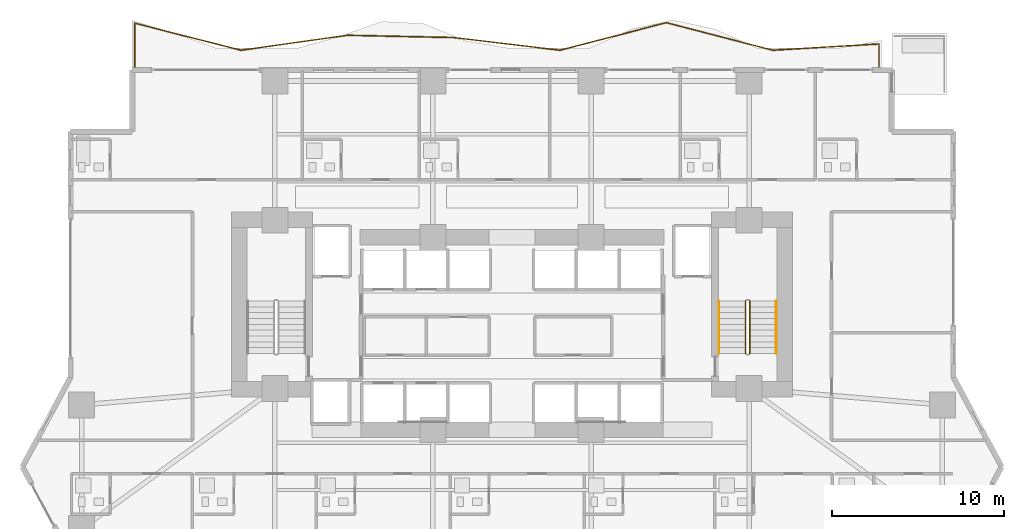
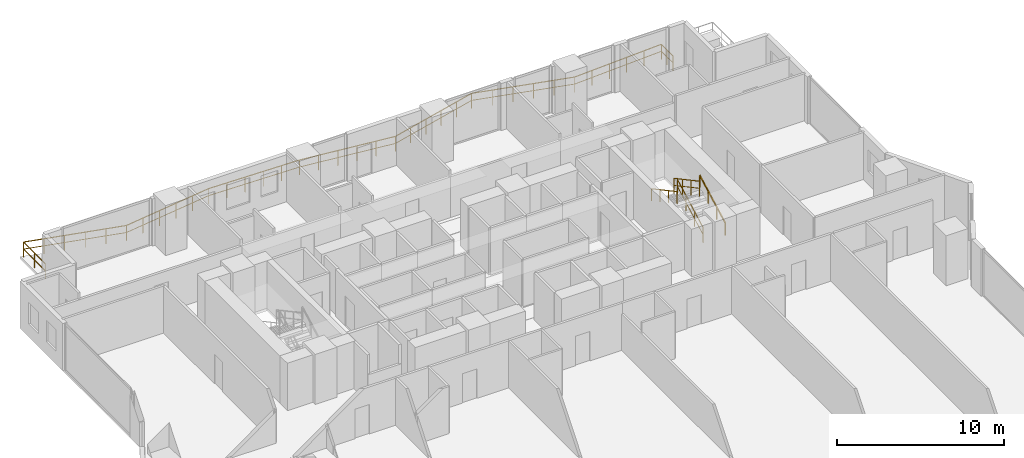
# One storey, part 26 of 28: 5 railings.
"""IFC4 building model written with IfcOpenShell, lengths in metres."""

from ifc_helpers import new_model, si_unit, direction, frame, origin, origin_2d, place, context, subcontext, project, spatial, rectangle, extrude, material, type_object, element, save


model = new_model("IFC4")

# Units and contexts
model_context = context("Model", 3, precision=1e-05, world=origin(), true_north=direction((0.0, 1.0)))
body_context = subcontext(model_context, "Body", "Model", "MODEL_VIEW")
ifc_project = project(units=[si_unit("LENGTHUNIT", "METRE"), si_unit("AREAUNIT", "SQUARE_METRE"), si_unit("VOLUMEUNIT", "CUBIC_METRE"), si_unit("PLANEANGLEUNIT", "RADIAN"), si_unit("MASSUNIT", "GRAM", prefix="KILO")], contexts=[model_context])

# Site, building, storey
site_placement = place(None, origin())
site = spatial("IfcSite", under=ifc_project, at=site_placement, CompositionType="ELEMENT")
building_placement = place(site_placement, origin())
building = spatial("IfcBuilding", under=site, at=building_placement, Name="Zuhayl Quay Hotel", CompositionType="ELEMENT")
storey_placement = place(building_placement, frame((0.0, 0.0, 49.5)))
storey = spatial("IfcBuildingStorey", under=building, at=storey_placement, Name="L11", CompositionType="ELEMENT", Elevation=49.5)

# Railings
ifc_material_1 = material(Name="Anodised Aluminium and Laminated Glass", Category="aluminium")
railing_type_1 = type_object("IfcRailingType", Name="RL_EXT_BAL_1100", PredefinedType="BALUSTRADE", material=ifc_material_1)
railing_1_placement = place(storey_placement, frame((-21.9599609375, 23.219970703125, 0.0)))
element("IfcRailing", 1, at=railing_1_placement, inside=storey, type_object=railing_type_1, Name="L11 Balcony and Terrace Guard GR_L11_BAL_N", PredefinedType="BALUSTRADE", context=body_context, shape_type="SweptSolid", body=[
    extrude(rectangle(XDim=0.048095703125, YDim=0.048095703125, at=origin_2d()), frame((0.0, 0.0, 1.09619140625), z_axis=(0.0, 1.0, 0.0), x_axis=(-1.0, 0.0, 0.0)), (0.0, 0.0, 1.0), 2.5966796875),
    extrude(rectangle(XDim=0.0361328125, YDim=0.0361328125, at=origin_2d()), frame((0.0, 0.0, 0.58251953125), z_axis=(0.0, 1.0, 0.0), x_axis=(-1.0, 0.0, 0.0)), (0.0, 0.0, 1.0), 2.5966796875),
    extrude(rectangle(XDim=0.048095703125, YDim=0.048095703125, at=origin_2d()), frame((0.0, 2.5966796875, 1.09619140625), z_axis=(0.9690443115, -0.246886861436, 0.0), x_axis=(0.246886861436, 0.9690443115, 0.0)), (0.0, 0.0, 1.0), 6.38623046875),
    extrude(rectangle(XDim=0.0361328125, YDim=0.0361328125, at=origin_2d()), frame((0.0, 2.5966796875, 0.58251953125), z_axis=(0.9690443115, -0.246886861436, 0.0), x_axis=(0.246886861436, 0.9690443115, 0.0)), (0.0, 0.0, 1.0), 6.38623046875),
    extrude(rectangle(XDim=0.048095703125, YDim=0.048095703125, at=origin_2d()), frame((6.1884765625, 1.02001953125, 1.09619140625), z_axis=(0.990238051974, 0.139386514496, 0.0), x_axis=(-0.139386514496, 0.990238051974, 0.0)), (0.0, 0.0, 1.0), 6.24951171875),
    extrude(rectangle(XDim=0.0361328125, YDim=0.0361328125, at=origin_2d()), frame((6.1884765625, 1.02001953125, 0.58251953125), z_axis=(0.990238051974, 0.139386514496, 0.0), x_axis=(-0.139386514496, 0.990238051974, 0.0)), (0.0, 0.0, 1.0), 6.24951171875),
    extrude(rectangle(XDim=0.048095703125, YDim=0.048095703125, at=origin_2d()), frame((12.376953125, 1.89111328125, 1.09619140625), z_axis=(0.999768958064, -0.021494894558, 0.0), x_axis=(0.021494894558, 0.999768958064, 0.0)), (0.0, 0.0, 1.0), 6.190185546875),
    extrude(rectangle(XDim=0.0361328125, YDim=0.0361328125, at=origin_2d()), frame((12.376953125, 1.89111328125, 0.58251953125), z_axis=(0.999768958064, -0.021494894558, 0.0), x_axis=(0.021494894558, 0.999768958064, 0.0)), (0.0, 0.0, 1.0), 6.190185546875),
    extrude(rectangle(XDim=0.048095703125, YDim=0.048095703125, at=origin_2d()), frame((18.565673828125, 1.758056640625, 1.09619140625), z_axis=(0.992963509139, -0.11842073095, 0.0), x_axis=(0.11842073095, 0.992963509139, 0.0)), (0.0, 0.0, 1.0), 6.232421875),
    extrude(rectangle(XDim=0.0361328125, YDim=0.0361328125, at=origin_2d()), frame((18.565673828125, 1.758056640625, 0.58251953125), z_axis=(0.992963509139, -0.11842073095, 0.0), x_axis=(0.11842073095, 0.992963509139, 0.0)), (0.0, 0.0, 1.0), 6.232421875),
    extrude(rectangle(XDim=0.048095703125, YDim=0.048095703125, at=origin_2d()), frame((24.754150390625, 1.02001953125, 1.09619140625), z_axis=(0.967950156366, 0.251142379519, 0.0), x_axis=(-0.251142379519, 0.967950156366, 0.0)), (0.0, 0.0, 1.0), 6.3935546875),
    extrude(rectangle(XDim=0.0361328125, YDim=0.0361328125, at=origin_2d()), frame((24.754150390625, 1.02001953125, 0.58251953125), z_axis=(0.967950156366, 0.251142379519, 0.0), x_axis=(-0.251142379519, 0.967950156366, 0.0)), (0.0, 0.0, 1.0), 6.3935546875),
    extrude(rectangle(XDim=0.048095703125, YDim=0.048095703125, at=origin_2d()), frame((30.94287109375, 2.625732421875, 1.09619140625), z_axis=(0.967947747813, -0.251151662355, 0.0), x_axis=(0.251151662355, 0.967947747813, 0.0)), (0.0, 0.0, 1.0), 6.393310546875),
    extrude(rectangle(XDim=0.0361328125, YDim=0.0361328125, at=origin_2d()), frame((30.94287109375, 2.625732421875, 0.58251953125), z_axis=(0.967947747813, -0.251151662355, 0.0), x_axis=(0.251151662355, 0.967947747813, 0.0)), (0.0, 0.0, 1.0), 6.393310546875),
    extrude(rectangle(XDim=0.048095703125, YDim=0.048095703125, at=origin_2d()), frame((37.13134765625, 1.02001953125, 1.09619140625), z_axis=(0.998249159959, 0.059149088258, 0.0), x_axis=(-0.059149088258, 0.998249159959, 0.0)), (0.0, 0.0, 1.0), 6.199462890625),
    extrude(rectangle(XDim=0.0361328125, YDim=0.0361328125, at=origin_2d()), frame((37.13134765625, 1.02001953125, 0.58251953125), z_axis=(0.998249159959, 0.059149088258, 0.0), x_axis=(-0.059149088258, 0.998249159959, 0.0)), (0.0, 0.0, 1.0), 6.199462890625),
    extrude(rectangle(XDim=0.048095703125, YDim=0.048095703125, at=origin_2d()), frame((43.320068359375, 1.38671875, 1.09619140625), z_axis=(0.0, -1.0, 0.0), x_axis=(1.0, 0.0, 0.0)), (0.0, 0.0, 1.0), 1.38671875),
    extrude(rectangle(XDim=0.0361328125, YDim=0.0361328125, at=origin_2d()), frame((43.320068359375, 1.38671875, 0.58251953125), z_axis=(0.0, -1.0, 0.0), x_axis=(1.0, 0.0, 0.0)), (0.0, 0.0, 1.0), 1.38671875),
    extrude(rectangle(XDim=0.0419921875, YDim=0.0419921875, at=origin_2d()), origin(), (0.0, 0.0, 1.0), 1.072021484375),
    extrude(rectangle(XDim=0.0419921875, YDim=0.0419921875, at=origin_2d()), frame((0.0, 1.29833984375, 0.0)), (0.0, 0.0, 1.0), 1.072021484375),
    extrude(rectangle(XDim=0.0419921875, YDim=0.0419921875, at=origin_2d()), frame((0.0, 2.5966796875, 0.0)), (0.0, 0.0, 1.0), 1.072021484375),
    extrude(rectangle(XDim=0.0419921875, YDim=0.0419921875, at=origin_2d()), frame((1.23779296875, 2.28125, 0.0)), (0.0, 0.0, 1.0), 1.072021484375),
    extrude(rectangle(XDim=0.0419921875, YDim=0.0419921875, at=origin_2d()), frame((2.475341796875, 1.966064453125, 0.0)), (0.0, 0.0, 1.0), 1.072021484375),
    extrude(rectangle(XDim=0.0419921875, YDim=0.0419921875, at=origin_2d()), frame((3.713134765625, 1.650634765625, 0.0)), (0.0, 0.0, 1.0), 1.072021484375),
    extrude(rectangle(XDim=0.0419921875, YDim=0.0419921875, at=origin_2d()), frame((4.95068359375, 1.33544921875, 0.0)), (0.0, 0.0, 1.0), 1.072021484375),
    extrude(rectangle(XDim=0.0419921875, YDim=0.0419921875, at=origin_2d()), frame((6.1884765625, 1.02001953125, 0.0)), (0.0, 0.0, 1.0), 1.072021484375),
    extrude(rectangle(XDim=0.0419921875, YDim=0.0419921875, at=origin_2d()), frame((7.42626953125, 1.1943359375, 0.0)), (0.0, 0.0, 1.0), 1.072021484375),
    extrude(rectangle(XDim=0.0419921875, YDim=0.0419921875, at=origin_2d()), frame((8.663818359375, 1.368408203125, 0.0)), (0.0, 0.0, 1.0), 1.072021484375),
    extrude(rectangle(XDim=0.0419921875, YDim=0.0419921875, at=origin_2d()), frame((9.901611328125, 1.542724609375, 0.0)), (0.0, 0.0, 1.0), 1.072021484375),
    extrude(rectangle(XDim=0.0419921875, YDim=0.0419921875, at=origin_2d()), frame((11.13916015625, 1.716796875, 0.0)), (0.0, 0.0, 1.0), 1.072021484375),
    extrude(rectangle(XDim=0.0419921875, YDim=0.0419921875, at=origin_2d()), frame((12.376953125, 1.89111328125, 0.0)), (0.0, 0.0, 1.0), 1.072021484375),
    extrude(rectangle(XDim=0.0419921875, YDim=0.0419921875, at=origin_2d()), frame((13.61474609375, 1.864501953125, 0.0)), (0.0, 0.0, 1.0), 1.072021484375),
    extrude(rectangle(XDim=0.0419921875, YDim=0.0419921875, at=origin_2d()), frame((14.8525390625, 1.837890625, 0.0)), (0.0, 0.0, 1.0), 1.072021484375),
    extrude(rectangle(XDim=0.0419921875, YDim=0.0419921875, at=origin_2d()), frame((16.090087890625, 1.811279296875, 0.0)), (0.0, 0.0, 1.0), 1.072021484375),
    extrude(rectangle(XDim=0.0419921875, YDim=0.0419921875, at=origin_2d()), frame((17.327880859375, 1.78466796875, 0.0)), (0.0, 0.0, 1.0), 1.072021484375),
    extrude(rectangle(XDim=0.0419921875, YDim=0.0419921875, at=origin_2d()), frame((18.565673828125, 1.758056640625, 0.0)), (0.0, 0.0, 1.0), 1.072021484375),
    extrude(rectangle(XDim=0.0419921875, YDim=0.0419921875, at=origin_2d()), frame((19.803466796875, 1.6103515625, 0.0)), (0.0, 0.0, 1.0), 1.072021484375),
    extrude(rectangle(XDim=0.0419921875, YDim=0.0419921875, at=origin_2d()), frame((21.041015625, 1.462890625, 0.0)), (0.0, 0.0, 1.0), 1.072021484375),
    extrude(rectangle(XDim=0.0419921875, YDim=0.0419921875, at=origin_2d()), frame((22.27880859375, 1.315185546875, 0.0)), (0.0, 0.0, 1.0), 1.072021484375),
    extrude(rectangle(XDim=0.0419921875, YDim=0.0419921875, at=origin_2d()), frame((23.516357421875, 1.167724609375, 0.0)), (0.0, 0.0, 1.0), 1.072021484375),
    extrude(rectangle(XDim=0.0419921875, YDim=0.0419921875, at=origin_2d()), frame((24.754150390625, 1.02001953125, 0.0)), (0.0, 0.0, 1.0), 1.072021484375),
    extrude(rectangle(XDim=0.0419921875, YDim=0.0419921875, at=origin_2d()), frame((25.991943359375, 1.341064453125, 0.0)), (0.0, 0.0, 1.0), 1.072021484375),
    extrude(rectangle(XDim=0.0419921875, YDim=0.0419921875, at=origin_2d()), frame((27.229736328125, 1.662353515625, 0.0)), (0.0, 0.0, 1.0), 1.072021484375),
    extrude(rectangle(XDim=0.0419921875, YDim=0.0419921875, at=origin_2d()), frame((28.46728515625, 1.9833984375, 0.0)), (0.0, 0.0, 1.0), 1.072021484375),
    extrude(rectangle(XDim=0.0419921875, YDim=0.0419921875, at=origin_2d()), frame((29.705078125, 2.3046875, 0.0)), (0.0, 0.0, 1.0), 1.072021484375),
    extrude(rectangle(XDim=0.0419921875, YDim=0.0419921875, at=origin_2d()), frame((30.94287109375, 2.625732421875, 0.0)), (0.0, 0.0, 1.0), 1.072021484375),
    extrude(rectangle(XDim=0.0419921875, YDim=0.0419921875, at=origin_2d()), frame((32.1806640625, 2.3046875, 0.0)), (0.0, 0.0, 1.0), 1.072021484375),
    extrude(rectangle(XDim=0.0419921875, YDim=0.0419921875, at=origin_2d()), frame((33.418212890625, 1.9833984375, 0.0)), (0.0, 0.0, 1.0), 1.072021484375),
    extrude(rectangle(XDim=0.0419921875, YDim=0.0419921875, at=origin_2d()), frame((34.656005859375, 1.662353515625, 0.0)), (0.0, 0.0, 1.0), 1.072021484375),
    extrude(rectangle(XDim=0.0419921875, YDim=0.0419921875, at=origin_2d()), frame((35.8935546875, 1.341064453125, 0.0)), (0.0, 0.0, 1.0), 1.072021484375),
    extrude(rectangle(XDim=0.0419921875, YDim=0.0419921875, at=origin_2d()), frame((37.13134765625, 1.02001953125, 0.0)), (0.0, 0.0, 1.0), 1.072021484375),
    extrude(rectangle(XDim=0.0419921875, YDim=0.0419921875, at=origin_2d()), frame((38.369140625, 1.09326171875, 0.0)), (0.0, 0.0, 1.0), 1.072021484375),
    extrude(rectangle(XDim=0.0419921875, YDim=0.0419921875, at=origin_2d()), frame((39.60693359375, 1.166748046875, 0.0)), (0.0, 0.0, 1.0), 1.072021484375),
    extrude(rectangle(XDim=0.0419921875, YDim=0.0419921875, at=origin_2d()), frame((40.844482421875, 1.239990234375, 0.0)), (0.0, 0.0, 1.0), 1.072021484375),
    extrude(rectangle(XDim=0.0419921875, YDim=0.0419921875, at=origin_2d()), frame((42.082275390625, 1.3134765625, 0.0)), (0.0, 0.0, 1.0), 1.072021484375),
    extrude(rectangle(XDim=0.0419921875, YDim=0.0419921875, at=origin_2d()), frame((43.320068359375, 1.38671875, 0.0)), (0.0, 0.0, 1.0), 1.072021484375),
    extrude(rectangle(XDim=0.0419921875, YDim=0.0419921875, at=origin_2d()), frame((43.320068359375, 0.693359375, 0.0)), (0.0, 0.0, 1.0), 1.072021484375),
    extrude(rectangle(XDim=0.0419921875, YDim=0.0419921875, at=origin_2d()), frame((43.320068359375, 0.0, 0.0)), (0.0, 0.0, 1.0), 1.072021484375),
])
ifc_material_2 = material(Name="Steel ASTM A992 Grade 50", Category="steel")
railing_type_2 = type_object("IfcRailingType", Name="RL_GUARD_1100", PredefinedType="GUARDRAIL", material=ifc_material_2)
railing_2_placement = place(storey_placement, frame((13.840087890625, 6.590087890625, 0.1826171875)))
element("IfcRailing", 2, at=railing_2_placement, inside=storey, type_object=railing_type_2, Name="L11 ST2 stair guard 1", PredefinedType="GUARDRAIL", context=body_context, shape_type="SweptSolid", body=[
    extrude(rectangle(XDim=0.048095703125, YDim=0.048095703125, at=origin_2d()), frame((0.0, 0.0, 1.09619140625), z_axis=(0.0, 0.881102395774, 0.472925541879), x_axis=(-1.0, 0.0, 0.0)), (0.0, 0.0, 1.0), 3.47265625),
    extrude(rectangle(XDim=0.0361328125, YDim=0.0361328125, at=origin_2d()), frame((0.0, 0.0, 0.58251953125), z_axis=(0.0, 0.881102395774, 0.472925541879), x_axis=(-1.0, 0.0, 0.0)), (0.0, 0.0, 1.0), 3.47265625),
    extrude(rectangle(XDim=0.0419921875, YDim=0.0419921875, at=origin_2d()), origin(), (0.0, 0.0, 1.0), 1.072021484375),
    extrude(rectangle(XDim=0.0419921875, YDim=0.0419921875, at=origin_2d()), frame((0.0, 1.02001953125, 0.54736328125)), (0.0, 0.0, 1.0), 1.072021484375),
    extrude(rectangle(XDim=0.0419921875, YDim=0.0419921875, at=origin_2d()), frame((0.0, 2.039794921875, 1.094970703125)), (0.0, 0.0, 1.0), 1.072021484375),
    extrude(rectangle(XDim=0.0419921875, YDim=0.0419921875, at=origin_2d()), frame((0.0, 3.059814453125, 1.642333984375)), (0.0, 0.0, 1.0), 1.072021484375),
])
railing_3_placement = place(storey_placement, frame((13.590087890625, 9.64990234375, 2.007568359375)))
element("IfcRailing", 3, at=railing_3_placement, inside=storey, type_object=railing_type_2, Name="L11 ST2 stair guard 3", PredefinedType="GUARDRAIL", context=body_context, shape_type="SweptSolid", body=[
    extrude(rectangle(XDim=0.048095703125, YDim=0.048095703125, at=origin_2d()), frame((0.0, 0.0, 1.09619140625), z_axis=(0.0, -0.881102395774, 0.472925541879), x_axis=(1.0, 0.0, 0.0)), (0.0, 0.0, 1.0), 3.47265625),
    extrude(rectangle(XDim=0.0361328125, YDim=0.0361328125, at=origin_2d()), frame((0.0, 0.0, 0.58251953125), z_axis=(0.0, -0.881102395774, 0.472925541879), x_axis=(1.0, 0.0, 0.0)), (0.0, 0.0, 1.0), 3.47265625),
    extrude(rectangle(XDim=0.0419921875, YDim=0.0419921875, at=origin_2d()), origin(), (0.0, 0.0, 1.0), 1.072021484375),
    extrude(rectangle(XDim=0.0419921875, YDim=0.0419921875, at=origin_2d()), frame((0.0, -1.02001953125, 0.54736328125)), (0.0, 0.0, 1.0), 1.072021484375),
    extrude(rectangle(XDim=0.0419921875, YDim=0.0419921875, at=origin_2d()), frame((0.0, -2.039794921875, 1.094970703125)), (0.0, 0.0, 1.0), 1.072021484375),
    extrude(rectangle(XDim=0.0419921875, YDim=0.0419921875, at=origin_2d()), frame((0.0, -3.059814453125, 1.642333984375)), (0.0, 0.0, 1.0), 1.072021484375),
])
railing_type_3 = type_object("IfcRailingType", Name="RL_HANDRAIL_920", PredefinedType="HANDRAIL", material=ifc_material_2)
railing_4_placement = place(storey_placement, frame((15.3798828125, 6.590087890625, 0.1826171875)))
element("IfcRailing", 4, at=railing_4_placement, inside=storey, type_object=railing_type_3, Name="L11 ST2 stair handrail 1", PredefinedType="HANDRAIL", context=body_context, shape_type="SweptSolid", body=[
    extrude(rectangle(XDim=0.048095703125, YDim=0.048095703125, at=origin_2d()), frame((0.0, 0.0, 0.8759765625), z_axis=(0.0, 0.881102395774, 0.472925541879), x_axis=(-1.0, 0.0, 0.0)), (0.0, 0.0, 1.0), 3.47265625),
    extrude(rectangle(XDim=0.0419921875, YDim=0.0419921875, at=origin_2d()), origin(), (0.0, 0.0, 1.0), 0.851806640625),
    extrude(rectangle(XDim=0.0419921875, YDim=0.0419921875, at=origin_2d()), frame((0.0, 1.02001953125, 0.54736328125)), (0.0, 0.0, 1.0), 0.851806640625),
    extrude(rectangle(XDim=0.0419921875, YDim=0.0419921875, at=origin_2d()), frame((0.0, 2.039794921875, 1.094970703125)), (0.0, 0.0, 1.0), 0.851806640625),
    extrude(rectangle(XDim=0.0419921875, YDim=0.0419921875, at=origin_2d()), frame((0.0, 3.059814453125, 1.642333984375)), (0.0, 0.0, 1.0), 0.851806640625),
])
railing_5_placement = place(storey_placement, frame((12.050048828125, 9.64990234375, 2.007568359375)))
element("IfcRailing", 5, at=railing_5_placement, inside=storey, type_object=railing_type_3, Name="L11 ST2 stair handrail 2", PredefinedType="HANDRAIL", context=body_context, shape_type="SweptSolid", body=[
    extrude(rectangle(XDim=0.048095703125, YDim=0.048095703125, at=origin_2d()), frame((0.0, 0.0, 0.8759765625), z_axis=(0.0, -0.881102395774, 0.472925541879), x_axis=(1.0, 0.0, 0.0)), (0.0, 0.0, 1.0), 3.47265625),
    extrude(rectangle(XDim=0.0419921875, YDim=0.0419921875, at=origin_2d()), origin(), (0.0, 0.0, 1.0), 0.851806640625),
    extrude(rectangle(XDim=0.0419921875, YDim=0.0419921875, at=origin_2d()), frame((0.0, -1.02001953125, 0.54736328125)), (0.0, 0.0, 1.0), 0.851806640625),
    extrude(rectangle(XDim=0.0419921875, YDim=0.0419921875, at=origin_2d()), frame((0.0, -2.039794921875, 1.094970703125)), (0.0, 0.0, 1.0), 0.851806640625),
    extrude(rectangle(XDim=0.0419921875, YDim=0.0419921875, at=origin_2d()), frame((0.0, -3.059814453125, 1.642333984375)), (0.0, 0.0, 1.0), 0.851806640625),
])

save(model, "model.ifc")
